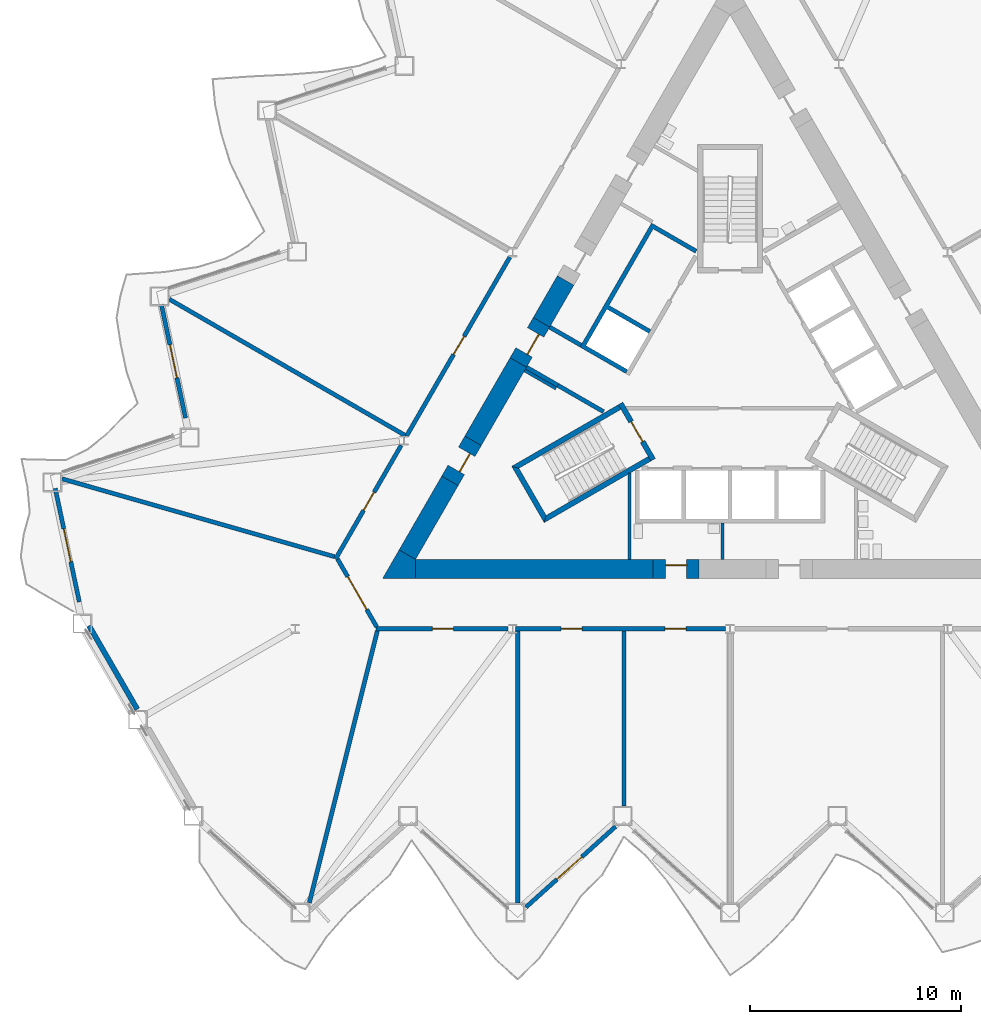
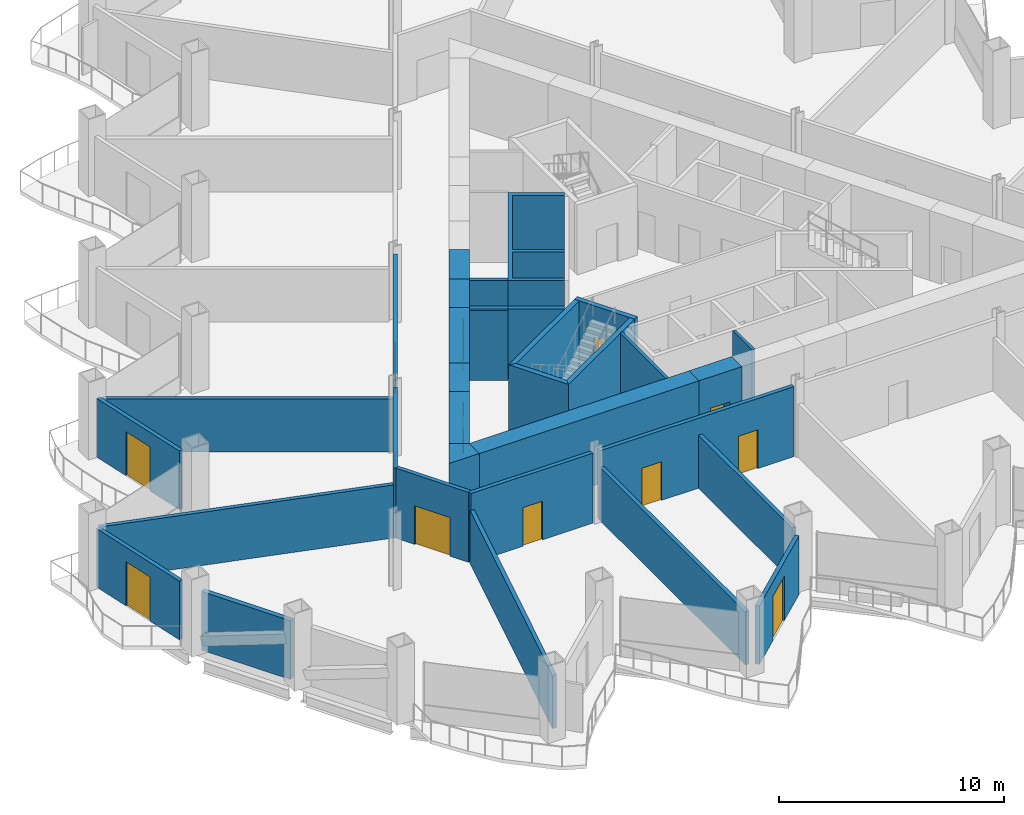
# One storey, part 10 of 21: 33 walls, 13 doors, 13 openings.
"""IFC4 building model written with IfcOpenShell, lengths in metres."""

import ifcopenshell
import ifcopenshell.guid

model = None  # the IFC model being written
_history = None  # IfcOwnerHistory: only IFC2X3 demands one
_inside = {}  # id of a spatial element -> (the spatial element, [elements in it])
_under = {}  # id of a project, library or spatial element -> (it, [spatial elements below it])
_declared = {}  # id of a project -> (the project, [libraries it declares])
_typed = {}  # id of a type object -> (the type object, [elements of that type])
_made_of = {}  # id of a material, layer set ... -> (it, [elements and type objects made of it])


def new_model(schema):
    """Start an empty IFC model of exactly this schema.

    Asked for "IFC4X3", IfcOpenShell would pick the latest addendum, in which some entities
    have other attributes; the version numbers below select the first issue.
    IFC2X3 requires an IfcOwnerHistory on every rooted entity: one is made here for all.
    """
    global model, _history
    if schema == "IFC4X3":
        model = ifcopenshell.file(schema_version=(4, 3, 0, 0))
    else:
        model = ifcopenshell.file(schema=schema)
    _inside.clear()
    _under.clear()
    _declared.clear()
    _typed.clear()
    _made_of.clear()
    _history = None
    if model.schema == "IFC2X3":
        org = make("IfcOrganization", Name="unknown")
        user = make(
            "IfcPersonAndOrganization",
            ThePerson=make("IfcPerson", FamilyName="unknown"),
            TheOrganization=org,
        )
        app = make(
            "IfcApplication",
            ApplicationDeveloper=org,
            Version="unknown",
            ApplicationFullName="unknown",
            ApplicationIdentifier="unknown",
        )
        _history = make(
            "IfcOwnerHistory",
            OwningUser=user,
            OwningApplication=app,
            ChangeAction="ADDED",
            CreationDate=0,
        )
    return model


def make(cls, **values):
    """One entity of the class cls with the attributes given. An attribute that is None is left unset."""
    return model.create_entity(
        cls, **{name: value for name, value in values.items() if value is not None}
    )


def rooted(cls, **values):
    """An entity with a GlobalId (a new one), such as an element, a storey or a relation."""
    return make(cls, GlobalId=ifcopenshell.guid.new(), OwnerHistory=_history, **values)


def si_unit(unit_type, name, prefix=None):
    """IfcSIUnit, for example si_unit("LENGTHUNIT", "METRE", prefix="MILLI")."""
    return make("IfcSIUnit", UnitType=unit_type, Prefix=prefix, Name=name)


def assignment(units):
    """IfcUnitAssignment: the units of a project."""
    return None if units is None else make("IfcUnitAssignment", Units=units)


def point(xyz):
    """IfcCartesianPoint."""
    return None if xyz is None else make("IfcCartesianPoint", Coordinates=xyz)


def direction(xyz):
    """IfcDirection."""
    return None if xyz is None else make("IfcDirection", DirectionRatios=xyz)


def frame(location, z_axis=None, x_axis=None):
    """IfcAxis2Placement3D, a coordinate frame: its origin and axes. An axis left out is left unset."""
    return make(
        "IfcAxis2Placement3D",
        Location=point(location),
        Axis=direction(z_axis),
        RefDirection=direction(x_axis),
    )


def frame_2d(location, x_axis=None):
    """IfcAxis2Placement2D, a coordinate frame in the plane: its origin and x axis."""
    return make(
        "IfcAxis2Placement2D", Location=point(location), RefDirection=direction(x_axis)
    )


def origin():
    """The frame at (0, 0, 0) with its axes left unset."""
    return frame((0.0, 0.0, 0.0))


def place(relative_to, where):
    """IfcLocalPlacement: puts the frame where relative to a parent placement (None: the world)."""
    return make(
        "IfcLocalPlacement", PlacementRelTo=relative_to, RelativePlacement=where
    )


def context(
    kind, dimensions, precision=None, world=None, true_north=None, identifier=None
):
    """IfcGeometricRepresentationContext, for example the 3D "Model" context."""
    return make(
        "IfcGeometricRepresentationContext",
        ContextIdentifier=identifier,
        ContextType=kind,
        CoordinateSpaceDimension=dimensions,
        Precision=precision,
        WorldCoordinateSystem=world,
        TrueNorth=true_north,
    )


def subcontext(parent, identifier, kind, view, scale=None):
    """IfcGeometricRepresentationSubContext, for example "Body" below "Model"."""
    return make(
        "IfcGeometricRepresentationSubContext",
        ContextIdentifier=identifier,
        ContextType=kind,
        ParentContext=parent,
        TargetScale=scale,
        TargetView=view,
    )


def project(units=None, contexts=None):
    """IfcProject with its units and contexts."""
    return rooted(
        "IfcProject",
        Name="project",
        RepresentationContexts=contexts,
        UnitsInContext=assignment(units),
    )


def spatial(cls, under=None, at=None, **own):
    """A site, building, storey or space (cls), placed at a placement, below another one or the project."""
    s = rooted(cls, ObjectPlacement=at, **own)
    if under is not None:
        _under.setdefault(under.id(), (under, []))[1].append(s)
    return s


def polyline(points):
    """IfcPolyline through the points."""
    return make("IfcPolyline", Points=[point(p) for p in points])


def profile(cls, at=None, kind="AREA", **sizes):
    """A parametric profile (cls). Its sizes go by their IFC names, for example OverallWidth=200.0."""
    return make(cls, ProfileType=kind, Position=at, **sizes)


def rectangle(**sizes):
    """IfcRectangleProfileDef."""
    return profile("IfcRectangleProfileDef", **sizes)


def outline(outer, holes=None, kind="AREA"):
    """IfcArbitraryClosedProfileDef: a profile drawn as a closed curve; with holes, ...WithVoids."""
    if holes is None:
        return make("IfcArbitraryClosedProfileDef", ProfileType=kind, OuterCurve=outer)
    return make(
        "IfcArbitraryProfileDefWithVoids",
        ProfileType=kind,
        OuterCurve=outer,
        InnerCurves=holes,
    )


def extrude(swept, where, along, depth):
    """IfcExtrudedAreaSolid: the profile swept, set in the frame where, extruded along a direction by depth."""
    return make(
        "IfcExtrudedAreaSolid",
        SweptArea=swept,
        Position=where,
        ExtrudedDirection=direction(along),
        Depth=depth,
    )


def shape(context_of_items, identifier, shape_type, items):
    """IfcShapeRepresentation: the items that make up one representation, for example the "Body"."""
    return make(
        "IfcShapeRepresentation",
        ContextOfItems=context_of_items,
        RepresentationIdentifier=identifier,
        RepresentationType=shape_type,
        Items=items,
    )


def material(Name=None, Category=None):
    """IfcMaterial."""
    return make("IfcMaterial", Name=Name, Category=Category)


def layer(
    of_material, thickness, ventilated=None, Name=None, Category=None, Priority=None
):
    """IfcMaterialLayer: one layer of a wall or slab, of a material (None: an air gap)."""
    return make(
        "IfcMaterialLayer",
        Material=of_material,
        LayerThickness=thickness,
        IsVentilated=ventilated,
        Name=Name,
        Category=Category,
        Priority=Priority,
    )


def layer_set(layers, Name=None):
    """IfcMaterialLayerSet."""
    return make("IfcMaterialLayerSet", MaterialLayers=layers, LayerSetName=Name)


def made_of(thing, what):
    """Note that an element or type object is made of a material, layer set ...; save() writes the relation."""
    if what is not None:
        _made_of.setdefault(what.id(), (what, []))[1].append(thing)
    return thing


def type_object(cls, material=None, **own):
    """A type object (cls), such as IfcWallType, which elements share."""
    return made_of(rooted(cls, **own), material)


def element(
    cls,
    number,
    at=None,
    inside=None,
    cuts=None,
    type_object=None,
    material=None,
    context=None,
    identifier="Body",
    shape_type=None,
    held_by="IfcProductDefinitionShape",
    body=None,
    shapes=None,
    **own,
):
    """One element of the class cls, such as IfcWall. Its Tag is "e" and its number.

    at: its placement. inside: the storey or other place that contains it. cuts: it is an
    opening in that element (IfcRelVoidsElement). A single representation is given by context,
    identifier, shape_type and body (its items); several are given by shapes. held_by: the class
    of the entity that holds the representations. save() writes the other relations.
    """
    e = rooted(cls, Tag="e%d" % number, ObjectPlacement=at, **own)
    if body is not None:
        shapes = [shape(context, identifier, shape_type, body)]
    if shapes is not None:
        e.Representation = make(held_by, Representations=shapes)
    if inside is not None:
        _inside.setdefault(inside.id(), (inside, []))[1].append(e)
    if cuts is not None:
        rooted(
            "IfcRelVoidsElement", RelatingBuildingElement=cuts, RelatedOpeningElement=e
        )
    if type_object is not None:
        _typed.setdefault(type_object.id(), (type_object, []))[1].append(e)
    return made_of(e, material)


def fill(opening, filler):
    """IfcRelFillsElement: the door or window that sits in an opening."""
    return rooted(
        "IfcRelFillsElement",
        RelatingOpeningElement=opening,
        RelatedBuildingElement=filler,
    )


def aggregate(whole, parts):
    """IfcRelAggregates: a whole, such as a stair, and the parts it consists of."""
    return rooted("IfcRelAggregates", RelatingObject=whole, RelatedObjects=parts)


def save(model, path):
    """Write the relations noted so far, then the file.

    IfcRelAggregates (storeys below a building ...), IfcRelContainedInSpatialStructure (elements
    in a storey), IfcRelDefinesByType, IfcRelAssociatesMaterial and IfcRelDeclares: one each for
    every whole, place, type object, material and project.
    """
    for whole, parts in _under.values():
        aggregate(whole, parts)
    for where, things in _inside.values():
        rooted(
            "IfcRelContainedInSpatialStructure",
            RelatedElements=things,
            RelatingStructure=where,
        )
    for kind, things in _typed.values():
        rooted("IfcRelDefinesByType", RelatedObjects=things, RelatingType=kind)
    for what, things in _made_of.values():
        rooted("IfcRelAssociatesMaterial", RelatedObjects=things, RelatingMaterial=what)
    for by, libraries in _declared.values():
        rooted("IfcRelDeclares", RelatingContext=by, RelatedDefinitions=libraries)
    model.write(path)


model = new_model("IFC4")

# Units and contexts
model_context = context("Model", 3, precision=1e-05, world=origin(), true_north=direction((0.0, 1.0)))
body_context = subcontext(model_context, "Body", "Model", "MODEL_VIEW")
ifc_project = project(units=[si_unit("LENGTHUNIT", "METRE"), si_unit("AREAUNIT", "SQUARE_METRE"), si_unit("VOLUMEUNIT", "CUBIC_METRE"), si_unit("PLANEANGLEUNIT", "RADIAN"), si_unit("MASSUNIT", "GRAM", prefix="KILO")], contexts=[model_context])

# Site, building, storey
site_placement = place(None, origin())
site = spatial("IfcSite", under=ifc_project, at=site_placement, CompositionType="ELEMENT")
building_placement = place(site_placement, origin())
building = spatial("IfcBuilding", under=site, at=building_placement, Name="Cormorant Prow Tower", CompositionType="ELEMENT")
storey_placement = place(building_placement, frame((0.0, 0.0, 129.0)))
storey = spatial("IfcBuildingStorey", under=building, at=storey_placement, Name="L27", CompositionType="ELEMENT", Elevation=129.0)

# Walls
ifc_material_1 = material(Name="Gypsum board partition")
ifc_layer_1 = layer(ifc_material_1, 0.14990234375)
ifc_layer_set_1 = layer_set([ifc_layer_1], Name="Gypsum board partition")
wall_type_1 = type_object("IfcWallType", Name="Core partition 150", PredefinedType="PARTITIONING", material=ifc_layer_set_1)
for number, where, z_axis, x_axis, name in (
    (1, (-8.268310546875, -0.509033203125, 0.0), (0.0, 0.0, 1.0), (-0.866024871741, 0.500000921525, 0.0), "Service room partition"),
    (2, (-0.351318359375, -8.626220703125, 0.0), (0.0, 0.0, 1.0), (0.0, 1.0, 0.0), "Service room partition"),
):
    element("IfcWall", number, at=place(storey_placement, frame(where, z_axis=z_axis, x_axis=x_axis)), inside=storey, type_object=wall_type_1, Name=name, PredefinedType="PARTITIONING", context=body_context, shape_type="SweptSolid", body=[
        extrude(rectangle(XDim=1.72021484375, YDim=0.14990234375, at=frame_2d((0.860107421875, 0.0))), origin(), (0.0, 0.0, 1.0), 3.800048828125),
    ])
wall_1_placement = place(storey_placement, frame((-4.78076171875, -8.626220703125, 0.0), z_axis=(0.0, 0.0, 1.0), x_axis=(0.0, 1.0, 0.0)))
element("IfcWall", 3, at=wall_1_placement, inside=storey, type_object=wall_type_1, Name="Service room partition", PredefinedType="PARTITIONING", context=body_context, shape_type="SweptSolid", body=[
    extrude(rectangle(XDim=4.09326171875, YDim=0.14990234375, at=frame_2d((2.046630859375, 0.0))), origin(), (0.0, 0.0, 1.0), 3.800048828125),
])
ifc_material_2 = material(Name="Concrete 8000 psi", Category="concrete")
ifc_layer_2 = layer(ifc_material_2, 0.89990234375)
ifc_layer_set_2 = layer_set([ifc_layer_2], Name="Concrete 8000 psi")
wall_type_2 = type_object("IfcWallType", Name="Core shear wall 900", PredefinedType="SHEAR", material=ifc_layer_set_2)
wall_2_placement = place(storey_placement, frame((-14.941162109375, -9.076416015625, 0.0), z_axis=(0.0, 0.0, 1.0), x_axis=(1.0, 0.0, 0.0)))
element("IfcWall", 4, at=wall_2_placement, inside=storey, type_object=wall_type_2, Name="Core wall", PredefinedType="SHEAR", context=body_context, shape_type="SweptSolid", body=[
    extrude(rectangle(XDim=11.275146484375, YDim=0.89990234375, at=frame_2d((5.6376953125, 0.0))), origin(), (0.0, 0.0, 1.0), 3.800048828125),
])
wall_3_placement = place(storey_placement, frame((-10.060302734375, 0.7275390625, 0.0), z_axis=(0.0, 0.0, 1.0), x_axis=(-0.499996331799, -0.866027521611, 0.0)))
element("IfcWall", 5, at=wall_3_placement, inside=storey, type_object=wall_type_2, Name="Core wall", PredefinedType="SHEAR", context=body_context, shape_type="SweptSolid", body=[
    extrude(rectangle(XDim=4.29541015625, YDim=0.89990234375, at=frame_2d((2.147705078125, 0.0))), origin(), (0.0, 0.0, 1.0), 3.800048828125),
])
wall_4_placement = place(storey_placement, frame((-13.30810546875, -4.897705078125, 0.0), z_axis=(0.0, 0.0, 1.0), x_axis=(-0.499974938593, -0.866039872511, 0.0)))
element("IfcWall", 6, at=wall_4_placement, inside=storey, type_object=wall_type_2, Name="Core wall", PredefinedType="SHEAR", context=body_context, shape_type="SweptSolid", body=[
    extrude(rectangle(XDim=4.045654296875, YDim=0.89990234375, at=frame_2d((2.02294921875, 0.0))), origin(), (0.0, 0.0, 1.0), 3.800048828125),
])
wall_5_placement = place(storey_placement, frame((-7.810302734375, 4.624755859375, 0.0), z_axis=(0.0, 0.0, 1.0), x_axis=(-0.499952165731, -0.866053019151, 0.0)))
element("IfcWall", 7, at=wall_5_placement, inside=storey, type_object=wall_type_2, Name="Core wall", PredefinedType="SHEAR", context=body_context, shape_type="SweptSolid", body=[
    extrude(rectangle(XDim=2.300048828125, YDim=0.89990234375, at=frame_2d((1.14990234375, 0.0))), origin(), (0.0, 0.0, 1.0), 3.800048828125),
])
wall_6_placement = place(storey_placement, origin())
element("IfcWall", 8, at=wall_6_placement, inside=storey, type_object=wall_type_2, Name="Core wall corner", PredefinedType="SHEAR", context=body_context, shape_type="SweptSolid", body=[
    extrude(outline(polyline([(-14.941162109375, -8.626220703125), (-14.941162109375, -9.5263671875), (-16.5, -9.5263671875), (-15.720703125, -8.17626953125), (-14.941162109375, -8.626220703125)])), origin(), (0.0, 0.0, 1.0), 3.800048828125),
])

# Wall, opening, door
wall_7_placement = place(storey_placement, frame((-3.666015625, -9.076416015625, 0.0), z_axis=(0.0, 0.0, 1.0), x_axis=(1.0, 0.0, 0.0)))
wall_7 = element("IfcWall", 9, at=wall_7_placement, inside=storey, type_object=wall_type_2, Name="Core wall door panel", PredefinedType="SHEAR", context=body_context, shape_type="SweptSolid", body=[
    extrude(rectangle(XDim=2.199951171875, YDim=0.89990234375, at=frame_2d((1.10009765625, 0.0))), origin(), (0.0, 0.0, 1.0), 3.800048828125),
])
opening_1_placement = place(wall_7_placement, frame((0.60009765625, 0.0, 0.0)))
opening_1 = element("IfcOpeningElement", 10, at=opening_1_placement, cuts=wall_7, Name="Opening L27-C14", PredefinedType="OPENING", context=body_context, shape_type="SweptSolid", body=[
    extrude(rectangle(XDim=1.0, YDim=2.10009765625, at=frame_2d((0.5, 1.050048828125))), frame((0.0, 0.4599609375, 0.0), z_axis=(0.0, -1.0, 0.0), x_axis=(1.0, 0.0, 0.0)), (0.0, 0.0, 1.0), 0.919921875),
])
ifc_material_3 = material(Name="Painted steel", Category="steel")
door_type_1 = type_object("IfcDoorType", Name="Service door 1000x2100", OperationType="NOTDEFINED", PredefinedType="DOOR", material=ifc_material_3)
door_1_placement = place(opening_1_placement, origin())
door_1 = element("IfcDoor", 11, at=door_1_placement, inside=storey, type_object=door_type_1, Name="Core door, Accessible WC L27", OperationType="SINGLE_SWING_LEFT", OverallHeight=2.10009765625, OverallWidth=1.0, PredefinedType="DOOR", context=body_context, shape_type="SweptSolid", body=[
    extrude(rectangle(XDim=1.0, YDim=2.10009765625, at=frame_2d((0.5, 1.050048828125))), frame((0.0, 0.205078125, 0.0), z_axis=(0.0, -1.0, 0.0), x_axis=(1.0, 0.0, 0.0)), (0.0, 0.0, 1.0), 0.050048828125),
])
fill(opening_1, door_1)

wall_8_placement = place(storey_placement, frame((-12.2080078125, -2.992431640625, 0.0), z_axis=(0.0, 0.0, 1.0), x_axis=(-0.50002983664, -0.866008176907, 0.0)))
wall_8 = element("IfcWall", 12, at=wall_8_placement, inside=storey, type_object=wall_type_2, Name="Core wall door panel", PredefinedType="SHEAR", context=body_context, shape_type="SweptSolid", body=[
    extrude(rectangle(XDim=2.199951171875, YDim=0.89990234375, at=frame_2d((1.10009765625, 0.0))), origin(), (0.0, 0.0, 1.0), 3.800048828125),
])
opening_2_placement = place(wall_8_placement, frame((0.60009765625, 0.0, 0.0)))
opening_2 = element("IfcOpeningElement", 13, at=opening_2_placement, cuts=wall_8, Name="Opening L27-C16", PredefinedType="OPENING", context=body_context, shape_type="SweptSolid", body=[
    extrude(rectangle(XDim=1.0, YDim=2.10009765625, at=frame_2d((0.5, 1.050048828125))), frame((0.0, 0.4599609375, 0.0), z_axis=(0.0, -1.0, 0.0), x_axis=(1.0, 0.0, 0.0)), (0.0, 0.0, 1.0), 0.919921875),
])
door_2_placement = place(opening_2_placement, origin())
door_2 = element("IfcDoor", 14, at=door_2_placement, inside=storey, type_object=door_type_1, Name="Core door, Linen store", OperationType="SINGLE_SWING_LEFT", OverallHeight=2.10009765625, OverallWidth=1.0, PredefinedType="DOOR", context=body_context, shape_type="SweptSolid", body=[
    extrude(rectangle(XDim=1.0, YDim=2.10009765625, at=frame_2d((0.5, 1.050048828125))), frame((0.0, 0.205078125, 0.0), z_axis=(0.0, -1.0, 0.0), x_axis=(1.0, 0.0, 0.0)), (0.0, 0.0, 1.0), 0.050048828125),
])
fill(opening_2, door_2)

wall_9_placement = place(storey_placement, frame((-8.960205078125, 2.6328125, 0.0), z_axis=(0.0, 0.0, 1.0), x_axis=(-0.50002983664, -0.866008176907, 0.0)))
wall_9 = element("IfcWall", 15, at=wall_9_placement, inside=storey, type_object=wall_type_2, Name="Core wall door panel", PredefinedType="SHEAR", context=body_context, shape_type="SweptSolid", body=[
    extrude(rectangle(XDim=2.199951171875, YDim=0.89990234375, at=frame_2d((1.10009765625, 0.0))), origin(), (0.0, 0.0, 1.0), 3.800048828125),
])
opening_3_placement = place(wall_9_placement, frame((0.550048828125, 0.0, 0.0)))
opening_3 = element("IfcOpeningElement", 16, at=opening_3_placement, cuts=wall_9, Name="Opening L27-C22", PredefinedType="OPENING", context=body_context, shape_type="SweptSolid", body=[
    extrude(rectangle(XDim=1.10009765625, YDim=2.10009765625, at=frame_2d((0.550048828125, 1.050048828125))), frame((0.0, 0.4599609375, 0.0), z_axis=(0.0, -1.0, 0.0), x_axis=(1.0, 0.0, 0.0)), (0.0, 0.0, 1.0), 0.919921875),
])
ifc_material_4 = material(Name="Painted steel", Category="steel")
door_type_2 = type_object("IfcDoorType", Name="Core door 1100x2100", OperationType="NOTDEFINED", PredefinedType="DOOR", material=ifc_material_4)
door_3_placement = place(opening_3_placement, origin())
door_3 = element("IfcDoor", 17, at=door_3_placement, inside=storey, type_object=door_type_2, Name="Core door, lift lobby", OperationType="SINGLE_SWING_LEFT", OverallHeight=2.10009765625, OverallWidth=1.10009765625, PredefinedType="DOOR", context=body_context, shape_type="SweptSolid", body=[
    extrude(rectangle(XDim=1.10009765625, YDim=2.10009765625, at=frame_2d((0.550048828125, 1.050048828125))), frame((0.0, 0.205078125, 0.0), z_axis=(0.0, -1.0, 0.0), x_axis=(1.0, 0.0, 0.0)), (0.0, 0.0, 1.0), 0.050048828125),
])
fill(opening_3, door_3)

# Wall, openings, doors
ifc_material_5 = material(Name="Gypsum board corridor wall")
ifc_layer_3 = layer(ifc_material_5, 0.199951171875)
ifc_layer_set_3 = layer_set([ifc_layer_3], Name="Gypsum board corridor wall")
wall_type_3 = type_object("IfcWallType", Name="Corridor wall 200", PredefinedType="PARTITIONING", material=ifc_layer_set_3)
wall_10_placement = place(storey_placement, frame((-10.19677734375, -11.92626953125, 0.0), z_axis=(0.0, 0.0, 1.0), x_axis=(1.0, 0.0, 0.0)))
wall_10 = element("IfcWall", 18, at=wall_10_placement, inside=storey, type_object=wall_type_3, Name="Corridor wall", PredefinedType="PARTITIONING", context=body_context, shape_type="SweptSolid", body=[
    extrude(rectangle(XDim=9.969482421875, YDim=0.199951171875, at=frame_2d((4.98486328125, 0.0))), origin(), (0.0, 0.0, 1.0), 3.800048828125),
])
opening_4_placement = place(wall_10_placement, frame((2.165771484375, 0.0, 0.0)))
opening_4 = element("IfcOpeningElement", 19, at=opening_4_placement, cuts=wall_10, Name="Opening L27-F02", PredefinedType="OPENING", context=body_context, shape_type="SweptSolid", body=[
    extrude(rectangle(XDim=1.0, YDim=2.10009765625, at=frame_2d((0.5, 1.050048828125))), frame((0.0, 0.10986328125, 0.0), z_axis=(0.0, -1.0, 0.0), x_axis=(1.0, 0.0, 0.0)), (0.0, 0.0, 1.0), 0.219970703125),
])
opening_5_placement = place(wall_10_placement, frame((7.106201171875, 0.0, 0.0)))
opening_5 = element("IfcOpeningElement", 20, at=opening_5_placement, cuts=wall_10, Name="Opening L27-F03", PredefinedType="OPENING", context=body_context, shape_type="SweptSolid", body=[
    extrude(rectangle(XDim=1.0, YDim=2.10009765625, at=frame_2d((0.5, 1.050048828125))), frame((0.0, 0.10986328125, 0.0), z_axis=(0.0, -1.0, 0.0), x_axis=(1.0, 0.0, 0.0)), (0.0, 0.0, 1.0), 0.219970703125),
])
ifc_material_6 = material(Name="Timber door leaf", Category="wood")
door_type_3 = type_object("IfcDoorType", Name="Office door 1000x2100", OperationType="NOTDEFINED", PredefinedType="DOOR", material=ifc_material_6)
door_4_placement = place(opening_4_placement, origin())
door_4 = element("IfcDoor", 21, at=door_4_placement, inside=storey, type_object=door_type_3, Name="Private office door", OperationType="SINGLE_SWING_RIGHT", OverallHeight=2.10009765625, OverallWidth=1.0, PredefinedType="DOOR", context=body_context, shape_type="SweptSolid", body=[
    extrude(rectangle(XDim=1.0, YDim=2.10009765625, at=frame_2d((0.5, 1.050048828125))), frame((0.0, 0.02490234375, 0.0), z_axis=(0.0, -1.0, 0.0), x_axis=(1.0, 0.0, 0.0)), (0.0, 0.0, 1.0), 0.050048828125),
])
fill(opening_4, door_4)
door_5_placement = place(opening_5_placement, origin())
door_5 = element("IfcDoor", 22, at=door_5_placement, inside=storey, type_object=door_type_3, Name="Private office door", OperationType="SINGLE_SWING_RIGHT", OverallHeight=2.10009765625, OverallWidth=1.0, PredefinedType="DOOR", context=body_context, shape_type="SweptSolid", body=[
    extrude(rectangle(XDim=1.0, YDim=2.10009765625, at=frame_2d((0.5, 1.050048828125))), frame((0.0, 0.02490234375, 0.0), z_axis=(0.0, -1.0, 0.0), x_axis=(1.0, 0.0, 0.0)), (0.0, 0.0, 1.0), 0.050048828125),
])
fill(opening_5, door_5)

# Wall, opening, door
wall_11_placement = place(storey_placement, frame((-15.361328125, -2.754150390625, 0.0), z_axis=(0.0, 0.0, 1.0), x_axis=(0.500004141693, 0.866023012564, 0.0)))
wall_11 = element("IfcWall", 23, at=wall_11_placement, inside=storey, type_object=wall_type_3, Name="Corridor wall", PredefinedType="PARTITIONING", context=body_context, shape_type="SweptSolid", body=[
    extrude(rectangle(XDim=9.80322265625, YDim=0.199951171875, at=frame_2d((4.901611328125, 0.0))), origin(), (0.0, 0.0, 1.0), 3.800048828125),
])
opening_6_placement = place(wall_11_placement, frame((4.45166015625, 0.0, 0.0)))
opening_6 = element("IfcOpeningElement", 24, at=opening_6_placement, cuts=wall_11, Name="Opening L27-F13", PredefinedType="OPENING", context=body_context, shape_type="SweptSolid", body=[
    extrude(rectangle(XDim=1.0, YDim=2.10009765625, at=frame_2d((0.5, 1.050048828125))), frame((0.0, 0.10986328125, 0.0), z_axis=(0.0, -1.0, 0.0), x_axis=(1.0, 0.0, 0.0)), (0.0, 0.0, 1.0), 0.219970703125),
])
door_6_placement = place(opening_6_placement, origin())
door_6 = element("IfcDoor", 25, at=door_6_placement, inside=storey, type_object=door_type_3, Name="Co-working room door", OperationType="SINGLE_SWING_LEFT", OverallHeight=2.10009765625, OverallWidth=1.0, PredefinedType="DOOR", context=body_context, shape_type="SweptSolid", body=[
    extrude(rectangle(XDim=1.0, YDim=2.10009765625, at=frame_2d((0.5, 1.050048828125))), frame((0.0, 0.02490234375, 0.0), z_axis=(0.0, -1.0, 0.0), x_axis=(1.0, 0.0, 0.0)), (0.0, 0.0, 1.0), 0.050048828125),
])
fill(opening_6, door_6)

wall_12_placement = place(storey_placement, frame((-16.830810546875, -11.92626953125, 0.0), z_axis=(0.0, 0.0, 1.0), x_axis=(1.0, 0.0, 0.0)))
wall_12 = element("IfcWall", 26, at=wall_12_placement, inside=storey, type_object=wall_type_3, Name="Corridor wall", PredefinedType="PARTITIONING", context=body_context, shape_type="SweptSolid", body=[
    extrude(rectangle(XDim=6.27490234375, YDim=0.199951171875, at=frame_2d((3.137451171875, 0.0))), origin(), (0.0, 0.0, 1.0), 3.800048828125),
])
opening_7_placement = place(wall_12_placement, frame((2.688232421875, 0.0, 0.0)))
opening_7 = element("IfcOpeningElement", 27, at=opening_7_placement, cuts=wall_12, Name="Opening L27-F01", PredefinedType="OPENING", context=body_context, shape_type="SweptSolid", body=[
    extrude(rectangle(XDim=1.0, YDim=2.10009765625, at=frame_2d((0.5, 1.050048828125))), frame((0.0, 0.10986328125, 0.0), z_axis=(0.0, -1.0, 0.0), x_axis=(1.0, 0.0, 0.0)), (0.0, 0.0, 1.0), 0.219970703125),
])
door_7_placement = place(opening_7_placement, origin())
door_7 = element("IfcDoor", 28, at=door_7_placement, inside=storey, type_object=door_type_3, Name="Open-plan office door", OperationType="SINGLE_SWING_RIGHT", OverallHeight=2.10009765625, OverallWidth=1.0, PredefinedType="DOOR", context=body_context, shape_type="SweptSolid", body=[
    extrude(rectangle(XDim=1.0, YDim=2.10009765625, at=frame_2d((0.5, 1.050048828125))), frame((0.0, 0.02490234375, 0.0), z_axis=(0.0, -1.0, 0.0), x_axis=(1.0, 0.0, 0.0)), (0.0, 0.0, 1.0), 0.050048828125),
])
fill(opening_7, door_7)

wall_13_placement = place(storey_placement, frame((-18.743896484375, -8.61279296875, 0.0), z_axis=(0.0, 0.0, 1.0), x_axis=(0.499997920671, 0.866026604282, 0.0)))
wall_13 = element("IfcWall", 29, at=wall_13_placement, inside=storey, type_object=wall_type_3, Name="Corridor wall", PredefinedType="PARTITIONING", context=body_context, shape_type="SweptSolid", body=[
    extrude(rectangle(XDim=6.23974609375, YDim=0.199951171875, at=frame_2d((3.119873046875, 0.0))), origin(), (0.0, 0.0, 1.0), 3.800048828125),
])
opening_8_placement = place(wall_13_placement, frame((2.67041015625, 0.0, 0.0)))
opening_8 = element("IfcOpeningElement", 30, at=opening_8_placement, cuts=wall_13, Name="Opening L27-F14", PredefinedType="OPENING", context=body_context, shape_type="SweptSolid", body=[
    extrude(rectangle(XDim=1.0, YDim=2.10009765625, at=frame_2d((0.5, 1.050048828125))), frame((0.0, 0.10986328125, 0.0), z_axis=(0.0, -1.0, 0.0), x_axis=(1.0, 0.0, 0.0)), (0.0, 0.0, 1.0), 0.219970703125),
])
door_8_placement = place(opening_8_placement, origin())
door_8 = element("IfcDoor", 31, at=door_8_placement, inside=storey, type_object=door_type_3, Name="Tenant suite door", OperationType="SINGLE_SWING_RIGHT", OverallHeight=2.10009765625, OverallWidth=1.0, PredefinedType="DOOR", context=body_context, shape_type="SweptSolid", body=[
    extrude(rectangle(XDim=1.0, YDim=2.10009765625, at=frame_2d((0.5, 1.050048828125))), frame((0.0, 0.02490234375, 0.0), z_axis=(0.0, -1.0, 0.0), x_axis=(1.0, 0.0, 0.0)), (0.0, 0.0, 1.0), 0.050048828125),
])
fill(opening_8, door_8)

wall_14_placement = place(storey_placement, frame((-18.643798828125, -8.61279296875, 0.0), z_axis=(0.0, 0.0, 1.0), x_axis=(0.499958791762, -0.866049194065, 0.0)))
wall_14 = element("IfcWall", 32, at=wall_14_placement, inside=storey, type_object=wall_type_3, Name="Corridor wall", PredefinedType="PARTITIONING", context=body_context, shape_type="SweptSolid", body=[
    extrude(rectangle(XDim=3.725830078125, YDim=0.199951171875, at=frame_2d((1.86279296875, 0.0))), origin(), (0.0, 0.0, 1.0), 3.800048828125),
])
opening_9_placement = place(wall_14_placement, frame((0.962890625, 0.0, 0.0)))
opening_9 = element("IfcOpeningElement", 33, at=opening_9_placement, cuts=wall_14, Name="Opening L27-F15", PredefinedType="OPENING", context=body_context, shape_type="SweptSolid", body=[
    extrude(rectangle(XDim=1.800048828125, YDim=2.10009765625, at=frame_2d((0.89990234375, 1.050048828125))), frame((0.0, 0.10986328125, 0.0), z_axis=(0.0, -1.0, 0.0), x_axis=(1.0, 0.0, 0.0)), (0.0, 0.0, 1.0), 0.219970703125),
])
ifc_material_7 = material(Name="Timber door leaf", Category="wood")
door_type_4 = type_object("IfcDoorType", Name="Double door 1800x2100", OperationType="DOUBLE_DOOR_SINGLE_SWING", PredefinedType="DOOR", material=ifc_material_7)
door_9_placement = place(opening_9_placement, origin())
door_9 = element("IfcDoor", 34, at=door_9_placement, inside=storey, type_object=door_type_4, Name="Trading room door", OperationType="DOUBLE_DOOR_SINGLE_SWING", OverallHeight=2.10009765625, OverallWidth=1.800048828125, PredefinedType="DOOR", context=body_context, shape_type="SweptSolid", body=[
    extrude(rectangle(XDim=1.800048828125, YDim=2.10009765625, at=frame_2d((0.89990234375, 1.050048828125))), frame((0.0, 0.02490234375, 0.0), z_axis=(0.0, -1.0, 0.0), x_axis=(1.0, 0.0, 0.0)), (0.0, 0.0, 1.0), 0.050048828125),
])
fill(opening_9, door_9)

# Walls
ifc_material_8 = material(Name="Gypsum board demising wall")
ifc_layer_4 = layer(ifc_material_8, 0.199951171875)
ifc_layer_set_4 = layer_set([ifc_layer_4], Name="Gypsum board demising wall")
wall_type_4 = type_object("IfcWallType", Name="Demising wall 200", PredefinedType="PARTITIONING", material=ifc_layer_set_4)
wall_15_placement = place(storey_placement, frame((-31.736083984375, -4.797607421875, 0.0), z_axis=(0.0, 0.0, 1.0), x_axis=(0.961478776026, -0.274879179372, 0.0)))
element("IfcWall", 35, at=wall_15_placement, inside=storey, type_object=wall_type_4, Name="Demising wall", PredefinedType="PARTITIONING", context=body_context, shape_type="SweptSolid", body=[
    extrude(rectangle(XDim=13.46484375, YDim=0.199951171875, at=frame_2d((6.732421875, 0.0))), origin(), (0.0, 0.0, 1.0), 2.88525390625),
])
wall_16_placement = place(storey_placement, frame((-19.986572265625, -24.939208984375, 0.0), z_axis=(0.0, 0.0, 1.0), x_axis=(0.242708204495, 0.97009933897, 0.0)))
element("IfcWall", 36, at=wall_16_placement, inside=storey, type_object=wall_type_4, Name="Demising wall", PredefinedType="PARTITIONING", context=body_context, shape_type="SweptSolid", body=[
    extrude(rectangle(XDim=13.314208984375, YDim=0.199951171875, at=frame_2d((6.6572265625, 0.0))), origin(), (0.0, 0.0, 1.0), 2.88525390625),
])
wall_17_placement = place(storey_placement, frame((-10.0869140625, -24.939208984375, 0.0), z_axis=(0.0, 0.0, 1.0), x_axis=(0.0, 1.0, 0.0)))
element("IfcWall", 37, at=wall_17_placement, inside=storey, type_object=wall_type_4, Name="Demising wall", PredefinedType="PARTITIONING", context=body_context, shape_type="SweptSolid", body=[
    extrude(rectangle(XDim=12.912841796875, YDim=0.199951171875, at=frame_2d((6.45654296875, 0.0))), origin(), (0.0, 0.0, 1.0), 2.88525390625),
])
wall_18_placement = place(storey_placement, frame((-26.63623046875, 3.731201171875, 0.0), z_axis=(0.0, 0.0, 1.0), x_axis=(0.866024473704, -0.500001610943, 0.0)))
element("IfcWall", 38, at=wall_18_placement, inside=storey, type_object=wall_type_4, Name="Demising wall", PredefinedType="PARTITIONING", context=body_context, shape_type="SweptSolid", body=[
    extrude(rectangle(XDim=12.970703125, YDim=0.199951171875, at=frame_2d((6.4853515625, 0.0))), origin(), (0.0, 0.0, 1.0), 2.88525390625),
])
wall_19_placement = place(storey_placement, frame((-5.04345703125, -20.34716796875, 0.0), z_axis=(0.0, 0.0, 1.0), x_axis=(0.0, 1.0, 0.0)))
element("IfcWall", 39, at=wall_19_placement, inside=storey, type_object=wall_type_4, Name="Demising wall", PredefinedType="PARTITIONING", context=body_context, shape_type="SweptSolid", body=[
    extrude(rectangle(XDim=8.32080078125, YDim=0.199951171875, at=frame_2d((4.160400390625, 0.0))), origin(), (0.0, 0.0, 1.0), 2.88525390625),
])
ifc_material_9 = material(Name="Concrete 8000 psi", Category="concrete")
ifc_layer_5 = layer(ifc_material_9, 0.199951171875)
ifc_layer_set_5 = layer_set([ifc_layer_5], Name="Concrete 8000 psi")
wall_type_5 = type_object("IfcWallType", Name="Lift shaft wall 200", PredefinedType="SHEAR", material=ifc_layer_set_5)
wall_20_placement = place(storey_placement, origin())
element("IfcWall", 40, at=wall_20_placement, inside=storey, type_object=wall_type_5, Name="Lift shaft walls, WNW block", PredefinedType="SHEAR", context=body_context, shape_type="SweptSolid", body=[
    extrude(outline(polyline([(-6.060546875, -1.697021484375), (-8.230712890625, -0.444091796875), (-8.130859375, -0.27099609375), (-5.96044921875, -1.52392578125), (-6.060546875, -1.697021484375)])), origin(), (0.0, 0.0, 1.0), 3.800048828125),
])
wall_21_placement = place(storey_placement, origin())
element("IfcWall", 41, at=wall_21_placement, inside=storey, type_object=wall_type_5, Name="Lift shaft walls, WNW block", PredefinedType="SHEAR", context=body_context, shape_type="SweptSolid", body=[
    extrude(outline(polyline([(-4.96044921875, 0.2080078125), (-7.130859375, 1.461181640625), (-3.730712890625, 7.35009765625), (-1.560546875, 6.09716796875), (-1.660400390625, 5.923828125), (-3.65234375, 7.073974609375), (-5.75244140625, 3.4365234375), (-3.760498046875, 2.28662109375), (-3.860595703125, 2.11328125), (-5.852294921875, 3.263427734375), (-6.852294921875, 1.53125), (-4.860595703125, 0.38134765625), (-4.96044921875, 0.2080078125)])), origin(), (0.0, 0.0, 1.0), 3.800048828125),
])
for number, where, z_axis, x_axis, name in (
    (42, (-7.080810546875, 1.547607421875, 0.0), (0.0, 0.0, 1.0), (-0.865963414263, 0.500107353632, 0.0), "Lobby passage wall"),
    (43, (-8.180908203125, -0.357421875, 0.0), (0.0, 0.0, 1.0), (-0.866024871741, 0.500000921525, 0.0), "Lobby passage wall"),
):
    element("IfcWall", number, at=place(storey_placement, frame(where, z_axis=z_axis, x_axis=x_axis)), inside=storey, type_object=wall_type_5, Name=name, PredefinedType="SHEAR", context=body_context, shape_type="SweptSolid", body=[
        extrude(rectangle(XDim=1.72021484375, YDim=0.199951171875, at=frame_2d((0.860107421875, 0.0))), origin(), (0.0, 0.0, 1.0), 3.800048828125),
    ])
ifc_material_10 = material(Name="Concrete 8000 psi", Category="concrete")
ifc_layer_6 = layer(ifc_material_10, 0.25)
ifc_layer_set_6 = layer_set([ifc_layer_6], Name="Concrete 8000 psi")
wall_type_6 = type_object("IfcWallType", Name="Stair wall 250", PredefinedType="SHEAR", material=ifc_layer_set_6)
wall_22_placement = place(storey_placement, origin())
element("IfcWall", 44, at=wall_22_placement, inside=storey, type_object=wall_type_6, Name="Stair ST1 enclosure wall (flank)", PredefinedType="SHEAR", context=body_context, shape_type="SweptSolid", body=[
    extrude(outline(polyline([(-5.30712890625, -1.28125), (-10.37353515625, -4.206298828125), (-10.031982421875, -4.2978515625), (-5.18212890625, -1.497802734375), (-5.30712890625, -1.28125)])), origin(), (0.0, 0.0, 1.0), 3.800048828125),
])
wall_23_placement = place(storey_placement, origin())
element("IfcWall", 45, at=wall_23_placement, inside=storey, type_object=wall_type_6, Name="Stair ST1 enclosure wall (end)", PredefinedType="SHEAR", context=body_context, shape_type="SweptSolid", body=[
    extrude(outline(polyline([(-10.37353515625, -4.206298828125), (-8.82958984375, -6.880615234375), (-8.738037109375, -6.5390625), (-10.031982421875, -4.2978515625), (-10.37353515625, -4.206298828125)])), origin(), (0.0, 0.0, 1.0), 3.800048828125),
])
wall_24_placement = place(storey_placement, origin())
element("IfcWall", 46, at=wall_24_placement, inside=storey, type_object=wall_type_6, Name="Stair ST1 enclosure wall (flank)", PredefinedType="SHEAR", context=body_context, shape_type="SweptSolid", body=[
    extrude(outline(polyline([(-8.738037109375, -6.5390625), (-8.82958984375, -6.880615234375), (-3.76318359375, -3.95556640625), (-3.88818359375, -3.739013671875), (-8.738037109375, -6.5390625)])), origin(), (0.0, 0.0, 1.0), 3.800048828125),
])

# Wall, opening, door
wall_25_placement = place(storey_placement, frame((-5.198974609375, -1.21875, 0.0), z_axis=(0.0, 0.0, 1.0), x_axis=(0.499982516597, -0.866035497597, 0.0)))
wall_25 = element("IfcWall", 47, at=wall_25_placement, inside=storey, type_object=wall_type_6, Name="Stair ST1 door wall", PredefinedType="SHEAR", context=body_context, shape_type="SweptSolid", body=[
    extrude(rectangle(XDim=3.087890625, YDim=0.25, at=frame_2d((1.5439453125, 0.0))), origin(), (0.0, 0.0, 1.0), 3.800048828125),
])
opening_10_placement = place(wall_25_placement, frame((0.993896484375, 0.0, 0.0)))
opening_10 = element("IfcOpeningElement", 48, at=opening_10_placement, cuts=wall_25, Name="Opening L27-C11", PredefinedType="OPENING", context=body_context, shape_type="SweptSolid", body=[
    extrude(rectangle(XDim=1.10009765625, YDim=2.10009765625, at=frame_2d((0.550048828125, 1.050048828125))), frame((0.0, 0.135009765625, 0.0), z_axis=(0.0, -1.0, 0.0), x_axis=(1.0, 0.0, 0.0)), (0.0, 0.0, 1.0), 0.27001953125),
])
ifc_material_11 = material(Name="Painted steel", Category="steel")
door_type_5 = type_object("IfcDoorType", Name="Stair door 1100x2100", OperationType="NOTDEFINED", PredefinedType="DOOR", material=ifc_material_11)
door_10_placement = place(opening_10_placement, origin())
door_10 = element("IfcDoor", 49, at=door_10_placement, inside=storey, type_object=door_type_5, Name="Stair ST1 door", OperationType="SINGLE_SWING_LEFT", OverallHeight=2.10009765625, OverallWidth=1.10009765625, PredefinedType="DOOR", context=body_context, shape_type="SweptSolid", body=[
    extrude(rectangle(XDim=1.10009765625, YDim=2.10009765625, at=frame_2d((0.550048828125, 1.050048828125))), frame((0.0, 0.02490234375, 0.0), z_axis=(0.0, -1.0, 0.0), x_axis=(1.0, 0.0, 0.0)), (0.0, 0.0, 1.0), 0.050048828125),
])
fill(opening_10, door_10)

# Wall
ifc_material_12 = material(Name="Terracotta", Category="masonry")
ifc_layer_7 = layer(ifc_material_12, 0.25)
ifc_layer_set_7 = layer_set([ifc_layer_7], Name="Terracotta")
wall_type_7 = type_object("IfcWallType", Name="Terracotta bay wall 250", PredefinedType="SOLIDWALL", material=ifc_layer_set_7)
wall_26_placement = place(storey_placement, frame((-30.451904296875, -11.77880859375, 0.0), z_axis=(0.0, 0.0, 1.0), x_axis=(0.500016357846, -0.866015959371, 0.0)))
element("IfcWall", 50, at=wall_26_placement, inside=storey, type_object=wall_type_7, Name="Terracotta bay wall WSW00", PredefinedType="SOLIDWALL", context=body_context, shape_type="SweptSolid", body=[
    extrude(rectangle(XDim=4.577880859375, YDim=0.25, at=frame_2d((2.2890625, 0.0))), origin(), (0.0, 0.0, 1.0), 3.18896484375),
])

# Wall, opening, door
ifc_material_13 = material(Name="Terracotta", Category="masonry")
ifc_layer_8 = layer(ifc_material_13, 0.199951171875)
ifc_layer_set_8 = layer_set([ifc_layer_8], Name="Terracotta")
wall_type_8 = type_object("IfcWallType", Name="Terracotta jamb wall 200", PredefinedType="SOLIDWALL", material=ifc_layer_set_8)
wall_27_placement = place(storey_placement, frame((-9.6962890625, -25.15087890625, 0.0), z_axis=(0.0, 0.0, 1.0), x_axis=(0.743141591148, 0.669134198428, 0.0)))
wall_27 = element("IfcWall", 51, at=wall_27_placement, inside=storey, type_object=wall_type_8, Name="Terracotta jamb wall S03", PredefinedType="SOLIDWALL", context=body_context, shape_type="SweptSolid", body=[
    extrude(rectangle(XDim=5.730224609375, YDim=0.199951171875, at=frame_2d((2.865234375, 0.0))), origin(), (0.0, 0.0, 1.0), 3.18896484375),
])
opening_11_placement = place(wall_27_placement, frame((1.977783203125, 0.0, 0.0)))
opening_11 = element("IfcOpeningElement", 52, at=opening_11_placement, cuts=wall_27, Name="Opening ED27.02", PredefinedType="OPENING", context=body_context, shape_type="SweptSolid", body=[
    extrude(rectangle(XDim=1.60009765625, YDim=2.39990234375, at=frame_2d((0.800048828125, 1.199951171875))), frame((0.0, 0.10986328125, 0.0), z_axis=(0.0, -1.0, 0.0), x_axis=(1.0, 0.0, 0.0)), (0.0, 0.0, 1.0), 0.219970703125),
])
ifc_material_14 = material(Name="Aluminium 6063-T6", Category="aluminium")
door_type_6 = type_object("IfcDoorType", Name="Balcony door 1600x2400", OperationType="DOUBLE_DOOR_SINGLE_SWING", PredefinedType="DOOR", material=ifc_material_14)
door_11_placement = place(opening_11_placement, origin())
door_11 = element("IfcDoor", 53, at=door_11_placement, inside=storey, type_object=door_type_6, Name="Balcony door S03 ED27.02", OperationType="DOUBLE_DOOR_SINGLE_SWING", OverallHeight=2.39990234375, OverallWidth=1.60009765625, PredefinedType="DOOR", context=body_context, shape_type="SweptSolid", body=[
    extrude(rectangle(XDim=1.60009765625, YDim=2.39990234375, at=frame_2d((0.800048828125, 1.199951171875))), frame((0.0, 0.02490234375, 0.0), z_axis=(0.0, -1.0, 0.0), x_axis=(1.0, 0.0, 0.0)), (0.0, 0.0, 1.0), 0.050048828125),
])
fill(opening_11, door_11)

wall_28_placement = place(storey_placement, frame((-27.015625, 3.481689453125, 0.0), z_axis=(0.0, 0.0, 1.0), x_axis=(0.207902173992, -0.978149623549, 0.0)))
wall_28 = element("IfcWall", 54, at=wall_28_placement, inside=storey, type_object=wall_type_8, Name="Terracotta jamb wall WNW07", PredefinedType="SOLIDWALL", context=body_context, shape_type="SweptSolid", body=[
    extrude(rectangle(XDim=5.5146484375, YDim=0.199951171875, at=frame_2d((2.75732421875, 0.0))), origin(), (0.0, 0.0, 1.0), 3.18896484375),
])
opening_12_placement = place(wall_28_placement, frame((1.957275390625, 0.0, 0.0)))
opening_12 = element("IfcOpeningElement", 55, at=opening_12_placement, cuts=wall_28, Name="Opening ED27.14", PredefinedType="OPENING", context=body_context, shape_type="SweptSolid", body=[
    extrude(rectangle(XDim=1.60009765625, YDim=2.39990234375, at=frame_2d((0.800048828125, 1.199951171875))), frame((0.0, 0.10986328125, 0.0), z_axis=(0.0, -1.0, 0.0), x_axis=(1.0, 0.0, 0.0)), (0.0, 0.0, 1.0), 0.219970703125),
])
door_12_placement = place(opening_12_placement, origin())
door_12 = element("IfcDoor", 56, at=door_12_placement, inside=storey, type_object=door_type_6, Name="Balcony door WNW07 ED27.14", OperationType="DOUBLE_DOOR_SINGLE_SWING", OverallHeight=2.39990234375, OverallWidth=1.60009765625, PredefinedType="DOOR", context=body_context, shape_type="SweptSolid", body=[
    extrude(rectangle(XDim=1.60009765625, YDim=2.39990234375, at=frame_2d((0.800048828125, 1.199951171875))), frame((0.0, 0.02490234375, 0.0), z_axis=(0.0, -1.0, 0.0), x_axis=(1.0, 0.0, 0.0)), (0.0, 0.0, 1.0), 0.050048828125),
])
fill(opening_12, door_12)

wall_29_placement = place(storey_placement, frame((-32.05908203125, -5.253662109375, 0.0), z_axis=(0.0, 0.0, 1.0), x_axis=(0.207902173992, -0.978149623549, 0.0)))
wall_29 = element("IfcWall", 57, at=wall_29_placement, inside=storey, type_object=wall_type_8, Name="Terracotta jamb wall WNW09", PredefinedType="SOLIDWALL", context=body_context, shape_type="SweptSolid", body=[
    extrude(rectangle(XDim=5.5146484375, YDim=0.199951171875, at=frame_2d((2.75732421875, 0.0))), origin(), (0.0, 0.0, 1.0), 3.18896484375),
])
opening_13_placement = place(wall_29_placement, frame((1.957275390625, 0.0, 0.0)))
opening_13 = element("IfcOpeningElement", 58, at=opening_13_placement, cuts=wall_29, Name="Opening ED27.15", PredefinedType="OPENING", context=body_context, shape_type="SweptSolid", body=[
    extrude(rectangle(XDim=1.60009765625, YDim=2.39990234375, at=frame_2d((0.800048828125, 1.199951171875))), frame((0.0, 0.10986328125, 0.0), z_axis=(0.0, -1.0, 0.0), x_axis=(1.0, 0.0, 0.0)), (0.0, 0.0, 1.0), 0.219970703125),
])
door_13_placement = place(opening_13_placement, origin())
door_13 = element("IfcDoor", 59, at=door_13_placement, inside=storey, type_object=door_type_6, Name="Balcony door WNW09 ED27.15", OperationType="DOUBLE_DOOR_SINGLE_SWING", OverallHeight=2.39990234375, OverallWidth=1.60009765625, PredefinedType="DOOR", context=body_context, shape_type="SweptSolid", body=[
    extrude(rectangle(XDim=1.60009765625, YDim=2.39990234375, at=frame_2d((0.800048828125, 1.199951171875))), frame((0.0, 0.02490234375, 0.0), z_axis=(0.0, -1.0, 0.0), x_axis=(1.0, 0.0, 0.0)), (0.0, 0.0, 1.0), 0.050048828125),
])
fill(opening_13, door_13)

save(model, "model.ifc")
